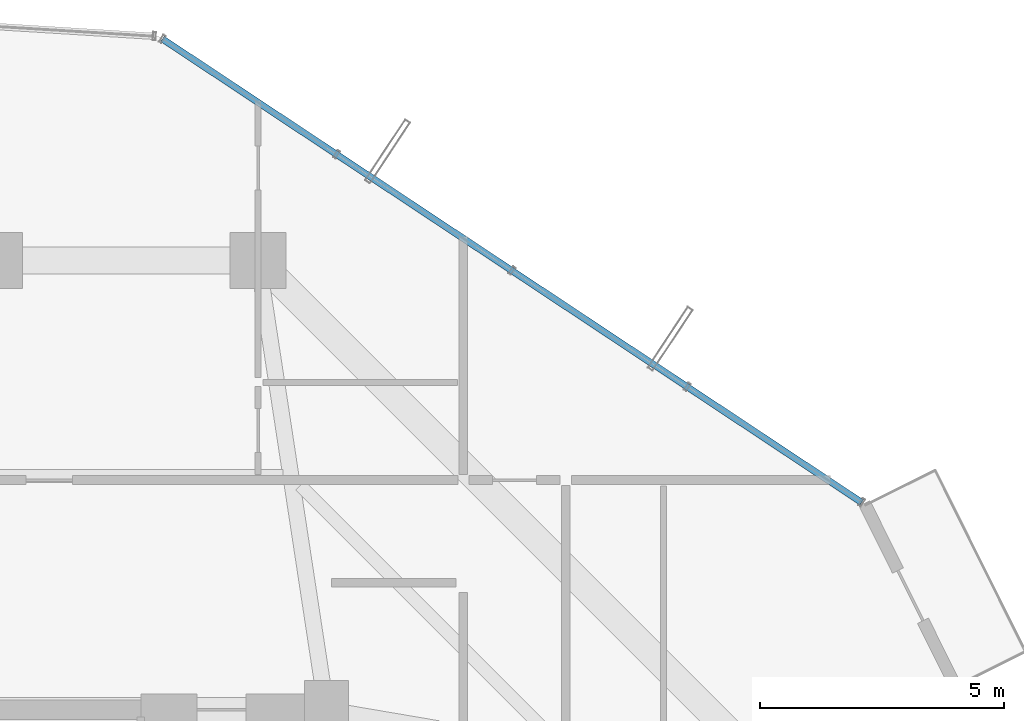
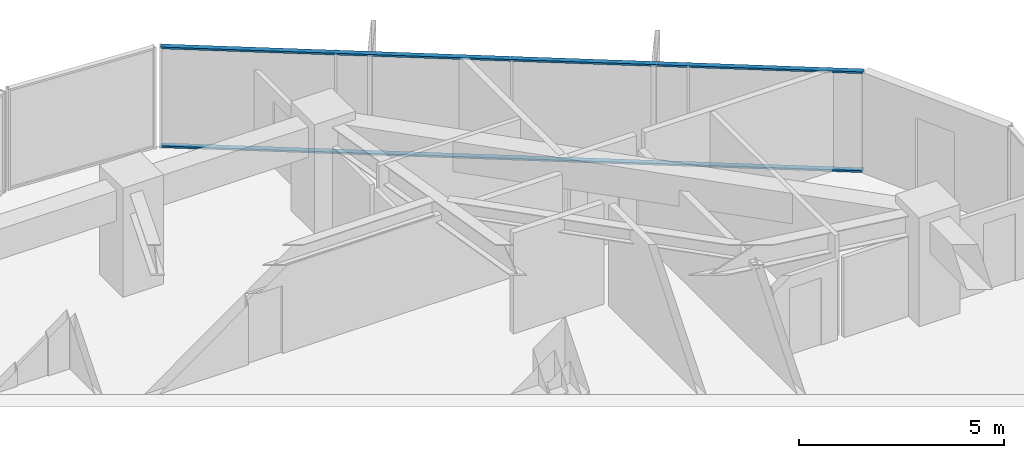
# One storey, part 22 of 30: 2 members, 1 element without a shape of its own.
"""IFC4 building model written with IfcOpenShell, lengths in metres."""

from ifc_helpers import new_model, si_unit, direction, frame, origin, origin_2d, place, context, subcontext, project, spatial, hollow_rectangle, extrude, source, transform, mapped, material, layer, layer_set, material_profile, profile_set, type_object, element, aggregate, save


model = new_model("IFC4")

# Units and contexts
model_context = context("Model", 3, precision=1e-05, world=origin(), true_north=direction((0.0, 1.0)))
body_context = subcontext(model_context, "Body", "Model", "MODEL_VIEW")
ifc_project = project(units=[si_unit("LENGTHUNIT", "METRE"), si_unit("AREAUNIT", "SQUARE_METRE"), si_unit("VOLUMEUNIT", "CUBIC_METRE"), si_unit("PLANEANGLEUNIT", "RADIAN"), si_unit("MASSUNIT", "GRAM", prefix="KILO")], contexts=[model_context])

# Site, building, storey
site_placement = place(None, origin())
site = spatial("IfcSite", under=ifc_project, at=site_placement, CompositionType="ELEMENT")
building_placement = place(site_placement, origin())
building = spatial("IfcBuilding", under=site, at=building_placement, Name="Veraguas Prism Commons", CompositionType="ELEMENT")
storey_placement = place(building_placement, frame((0.0, 0.0, 116.5)))
storey = spatial("IfcBuildingStorey", under=building, at=storey_placement, Name="L32", CompositionType="ELEMENT", Elevation=116.5)

# Curtain wall, members
ifc_material = material(Name="Anodised aluminium EN AW-6063 T6", Category="aluminium")
ifc_layer = layer(ifc_material, 0.169921875, Name="Unitised Flush Curtain Wall Zone 2", Category="aluminium")
ifc_layer_set = layer_set([ifc_layer], Name="Anodised aluminium EN AW-6063 T6")
curtain_wall_type = type_object("IfcCurtainWallType", Name="Unitised Flush Curtain Wall Zone 2", PredefinedType="NOTDEFINED", material=ifc_layer_set)
curtain_wall_placement = place(storey_placement, origin())
curtain_wall = element("IfcCurtainWall", 1, at=curtain_wall_placement, inside=storey, type_object=curtain_wall_type, Name="Tower Facade Curtain Wall L32-F1", PredefinedType="NOTDEFINED")
ifc_material_profile = material_profile(ifc_material, hollow_rectangle(XDim=0.054931640625, YDim=0.135009765625, WallThickness=0.0029296875, at=origin_2d()), Name="AL55X135X3")
ifc_profile_set = profile_set([ifc_material_profile], Name="Anodised aluminium EN AW-6063 T6")
member_type = type_object("IfcMemberType", Name="Curtain Wall Transom Standard AL 55x135x3", PredefinedType="USERDEFINED", material=ifc_profile_set)
shared_shape = source(origin(), body_context, "Body", "SweptSolid", [
    extrude(hollow_rectangle(XDim=0.054931640625, YDim=0.135009765625, WallThickness=0.0029296875, at=origin_2d()), origin(), (0.0, 0.0, 1.0), 17.17431640625),
])
member_1_placement = place(storey_placement, frame((41.756103515625, 35.244140625, 0.027587890625), z_axis=(-0.833506136681, 0.552510199106, 0.0), x_axis=(0.0, 0.0, 1.0)))
member_1 = element("IfcMember", 2, at=member_1_placement, type_object=member_type, Name="CW-Z2 Transom 1", ObjectType="TRANSOM", PredefinedType="USERDEFINED", context=body_context, shape_type="MappedRepresentation", body=[
    mapped(shared_shape, transform((0.0, 0.0, 0.0), scale=1.0)),
])
member_2_placement = place(storey_placement, frame((41.756103515625, 35.244140625, 2.972412109375), z_axis=(-0.833506136681, 0.552510199106, 0.0), x_axis=(0.0, 0.0, 1.0)))
member_2 = element("IfcMember", 3, at=member_2_placement, type_object=member_type, Name="CW-Z2 Transom 2", ObjectType="TRANSOM", PredefinedType="USERDEFINED", context=body_context, shape_type="MappedRepresentation", body=[
    mapped(shared_shape, transform((0.0, 0.0, 0.0), scale=1.0)),
])
aggregate(curtain_wall, [member_1, member_2])

save(model, "model.ifc")
